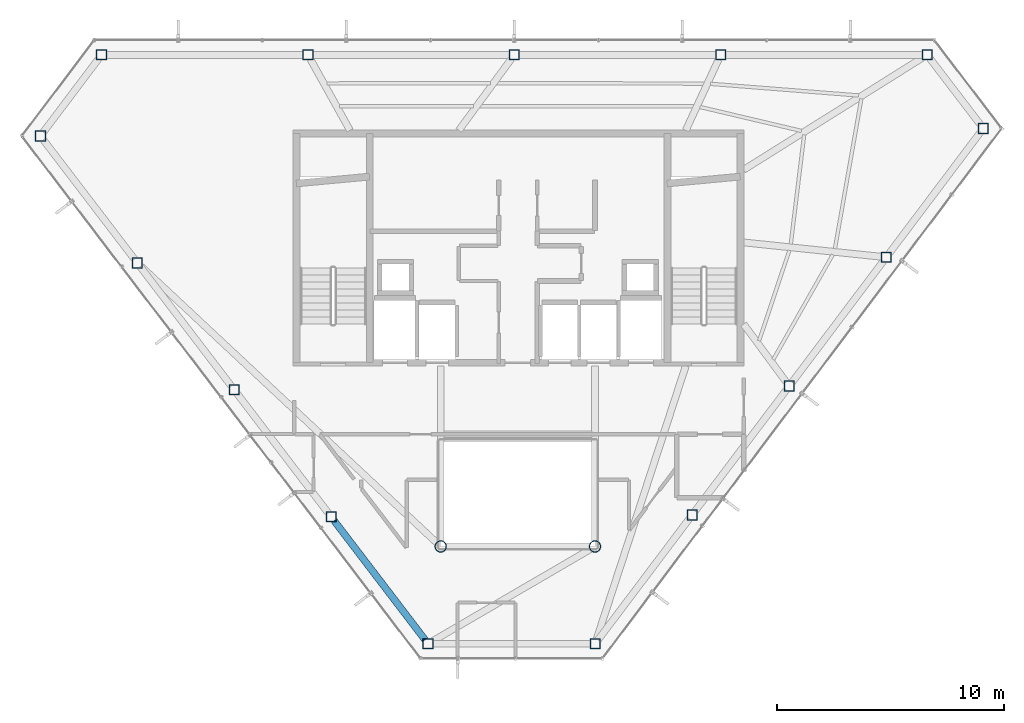
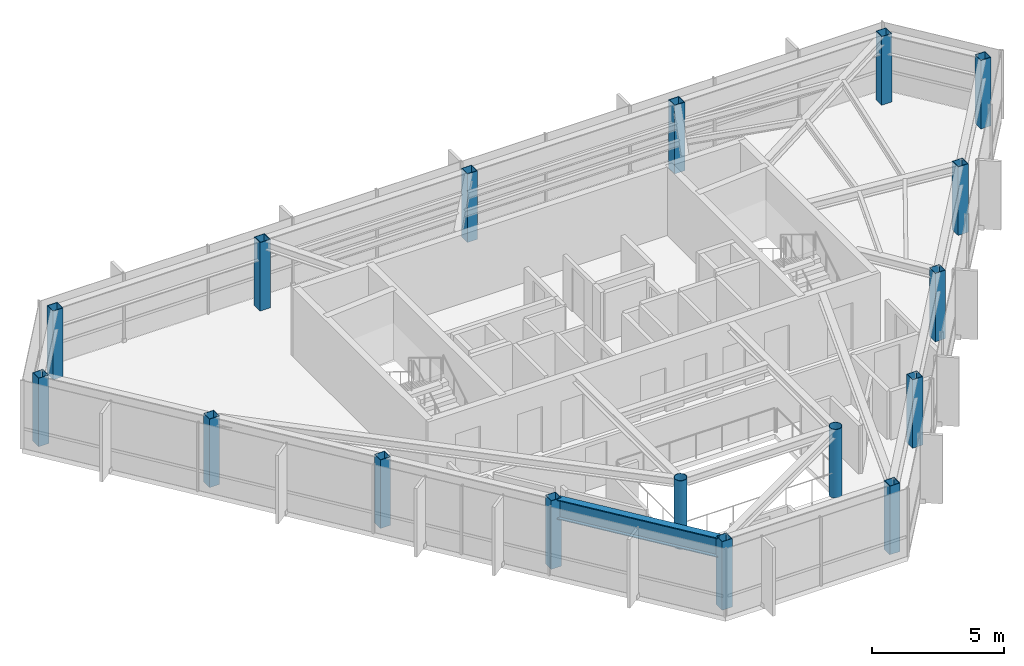
# One storey, part 1 of 22: 17 columns, 1 beam.
"""IFC4 building model written with IfcOpenShell, lengths in metres."""

from ifc_helpers import new_model, si_unit, direction, frame, origin, origin_2d, place, context, subcontext, project, spatial, hollow_rectangle, hollow_circle, i_section, extrude, material, material_profile, profile_set, type_object, element, save


model = new_model("IFC4")

# Units and contexts
model_context = context("Model", 3, precision=1e-05, world=origin(), true_north=direction((0.0, 1.0)))
body_context = subcontext(model_context, "Body", "Model", "MODEL_VIEW")
ifc_project = project(units=[si_unit("LENGTHUNIT", "METRE"), si_unit("AREAUNIT", "SQUARE_METRE"), si_unit("VOLUMEUNIT", "CUBIC_METRE"), si_unit("PLANEANGLEUNIT", "RADIAN"), si_unit("MASSUNIT", "GRAM", prefix="KILO")], contexts=[model_context])

# Site, building, storey
site_placement = place(None, origin())
site = spatial("IfcSite", under=ifc_project, at=site_placement, CompositionType="ELEMENT")
building_placement = place(site_placement, origin())
building = spatial("IfcBuilding", under=site, at=building_placement, Name="Zarrinselat Tower", CompositionType="ELEMENT")
storey_placement = place(building_placement, frame((0.0, 0.0, 292.39990234375)))
storey = spatial("IfcBuildingStorey", under=building, at=storey_placement, Name="L75", CompositionType="ELEMENT", Elevation=292.39990234375)

# Columns
ifc_material_1 = material(Name="Steel S355J2", Category="steel")
ifc_material_profile_1 = material_profile(ifc_material_1, hollow_circle(Radius=0.25390625, WallThickness=0.02001953125, at=origin_2d()), Name="CHS 508x20")
ifc_profile_set_1 = profile_set([ifc_material_profile_1], Name="Steel S355J2")
column_type_1 = type_object("IfcColumnType", Name="COL-CHS508", PredefinedType="COLUMN", material=ifc_profile_set_1)
for number, where, z_axis, x_axis, name in (
    (1, (35.0, 25.199951171875, 0.0), (0.0, 0.0, 1.0), (1.0, 0.0, 0.0), "L75 Atrium Corner Column 1"),
    (2, (41.800048828125, 25.199951171875, 0.0), (0.0, 0.0, 1.0), (1.0, 0.0, 0.0), "L75 Atrium Corner Column 2"),
):
    element("IfcColumn", number, at=place(storey_placement, frame(where, z_axis=z_axis, x_axis=x_axis)), inside=storey, type_object=column_type_1, Name=name, PredefinedType="COLUMN", context=body_context, shape_type="SweptSolid", body=[
        extrude(hollow_circle(Radius=0.25390625, WallThickness=0.02001953125, at=origin_2d()), origin(), (0.0, 0.0, 1.0), 3.18017578125),
    ])
ifc_material_2 = material(Name="Steel S355J2", Category="steel")
ifc_material_profile_2 = material_profile(ifc_material_2, hollow_rectangle(XDim=0.449951171875, YDim=0.449951171875, WallThickness=0.02197265625, at=origin_2d()), Name="SHS 450x450x22")
ifc_profile_set_2 = profile_set([ifc_material_profile_2], Name="Steel S355J2")
column_type_2 = type_object("IfcColumnType", Name="COL-SHS450", PredefinedType="COLUMN", material=ifc_profile_set_2)
for number, where, z_axis, x_axis, name in (
    (3, (56.435546875, 46.86669921875, 0.0), (0.0, 0.0, 1.0), (1.0, 0.0, 0.0), "L75 Framed-Tube Column T01"),
    (4, (47.340576171875, 46.86669921875, 0.0), (0.0, 0.0, 1.0), (1.0, 0.0, 0.0), "L75 Framed-Tube Column T02"),
    (5, (38.245361328125, 46.86669921875, 0.0), (0.0, 0.0, 1.0), (1.0, 0.0, 0.0), "L75 Framed-Tube Column T03"),
    (6, (29.150390625, 46.86669921875, 0.0), (0.0, 0.0, 1.0), (1.0, 0.0, 0.0), "L75 Framed-Tube Column T04"),
    (7, (20.05517578125, 46.86669921875, 0.0), (0.0, 0.0, 1.0), (1.0, 0.0, 0.0), "L75 Framed-Tube Column T05"),
    (8, (17.361083984375, 43.2900390625, 0.0), (0.0, 0.0, 1.0), (1.0, 0.0, 0.0), "L75 Framed-Tube Column T06"),
    (9, (21.631591796875, 37.696044921875, 0.0), (0.0, 0.0, 1.0), (1.0, 0.0, 0.0), "L75 Framed-Tube Column T07"),
    (10, (25.902099609375, 32.102294921875, 0.0), (0.0, 0.0, 1.0), (1.0, 0.0, 0.0), "L75 Framed-Tube Column T08"),
    (11, (30.172607421875, 26.50830078125, 0.0), (0.0, 0.0, 1.0), (1.0, 0.0, 0.0), "L75 Framed-Tube Column T09"),
    (12, (34.443115234375, 20.914306640625, 0.0), (0.0, 0.0, 1.0), (1.0, 0.0, 0.0), "L75 Framed-Tube Column T10"),
    (13, (41.8056640625, 20.914306640625, 0.0), (0.0, 0.0, 1.0), (1.0, 0.0, 0.0), "L75 Framed-Tube Column T11"),
    (14, (46.08203125, 26.591552734375, 0.0), (0.0, 0.0, 1.0), (1.0, 0.0, 0.0), "L75 Framed-Tube Column T12"),
    (15, (50.358642578125, 32.268798828125, 0.0), (0.0, 0.0, 1.0), (1.0, 0.0, 0.0), "L75 Framed-Tube Column T13"),
    (16, (54.63525390625, 37.94580078125, 0.0), (0.0, 0.0, 1.0), (1.0, 0.0, 0.0), "L75 Framed-Tube Column T14"),
    (17, (58.91162109375, 43.623291015625, 0.0), (0.0, 0.0, 1.0), (1.0, 0.0, 0.0), "L75 Framed-Tube Column T15"),
):
    element("IfcColumn", number, at=place(storey_placement, frame(where, z_axis=z_axis, x_axis=x_axis)), inside=storey, type_object=column_type_2, Name=name, PredefinedType="COLUMN", context=body_context, shape_type="SweptSolid", body=[
        extrude(hollow_rectangle(XDim=0.449951171875, YDim=0.449951171875, WallThickness=0.02197265625, at=origin_2d()), origin(), (0.0, 0.0, 1.0), 3.18017578125),
    ])

# Beam
ifc_material_3 = material(Name="Steel S460M", Category="steel")
ifc_material_profile_3 = material_profile(ifc_material_3, i_section(OverallWidth=0.302001953125, OverallDepth=0.909912109375, WebThickness=0.02099609375, FlangeThickness=0.0400390625, at=origin_2d()), Name="HEM 900")
ifc_profile_set_3 = profile_set([ifc_material_profile_3], Name="Steel S460M")
beam_type = type_object("IfcBeamType", Name="BM-HEM900", PredefinedType="BEAM", material=ifc_profile_set_3)
beam_placement = place(storey_placement, frame((30.3017578125, 26.3388671875, 2.72509765625), z_axis=(0.606819456319, -0.794839699205, 0.0), x_axis=(0.794839699205, 0.606819456319, 0.0)))
element("IfcBeam", 18, at=beam_placement, inside=storey, type_object=beam_type, Name="L75 Perimeter Spandrel Girder SP09", PredefinedType="BEAM", context=body_context, shape_type="SweptSolid", body=[
    extrude(i_section(OverallWidth=0.302001953125, OverallDepth=0.909912109375, WebThickness=0.02099609375, FlangeThickness=0.0400390625, at=origin_2d()), origin(), (0.0, 0.0, 1.0), 6.61181640625),
])

save(model, "model.ifc")
